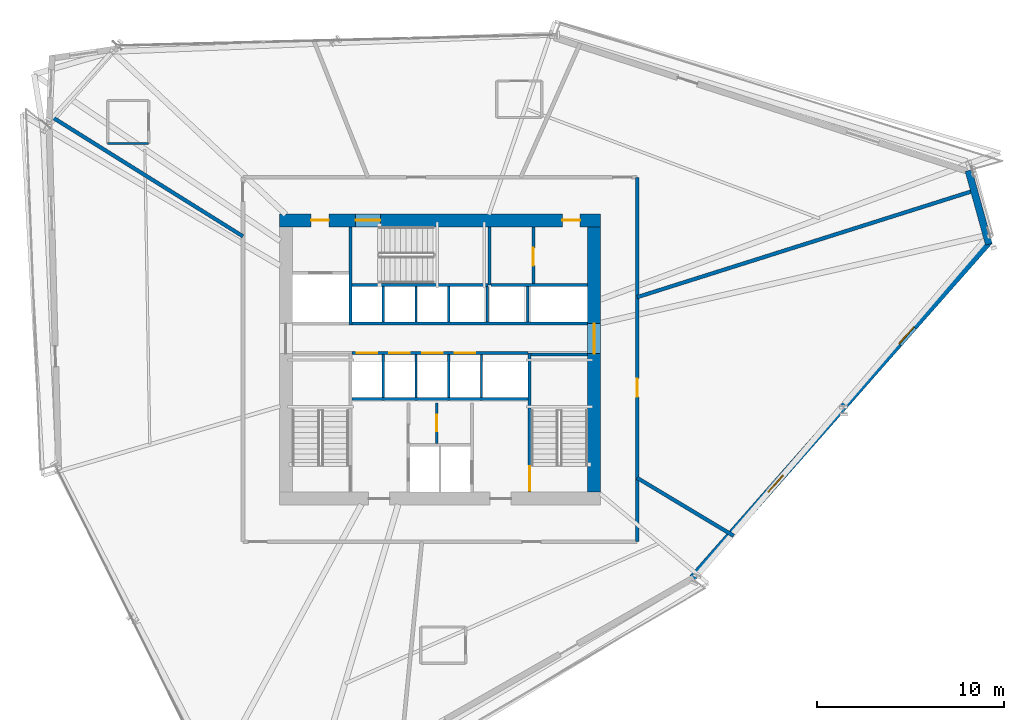
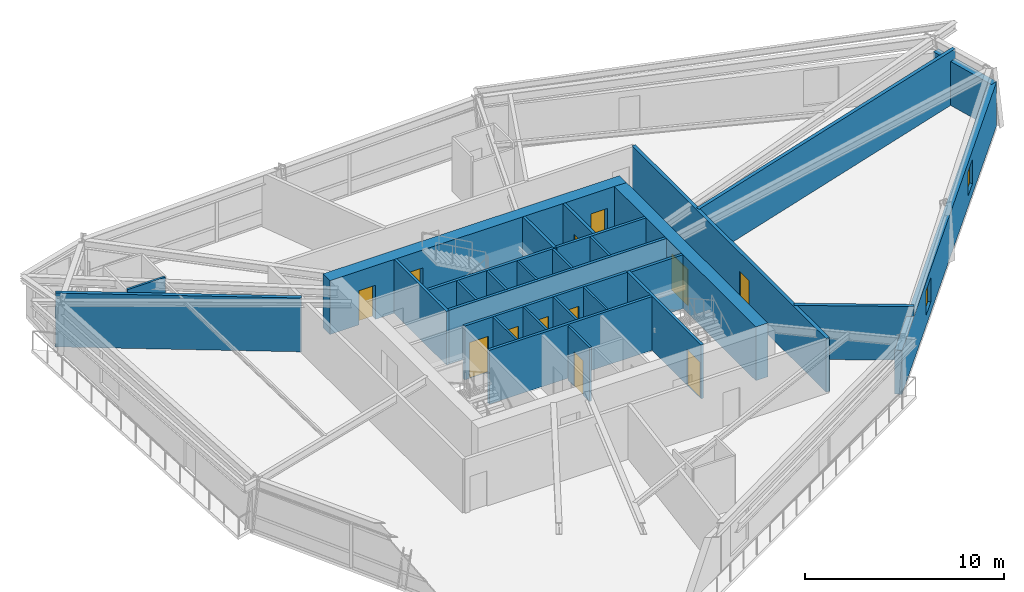
# One storey, part 15 of 20: 29 walls, 12 doors, 2 windows, 14 openings.
"""IFC4 building model written with IfcOpenShell, lengths in metres."""

import ifcopenshell
import ifcopenshell.guid

model = None  # the IFC model being written
_history = None  # IfcOwnerHistory: only IFC2X3 demands one
_inside = {}  # id of a spatial element -> (the spatial element, [elements in it])
_under = {}  # id of a project, library or spatial element -> (it, [spatial elements below it])
_declared = {}  # id of a project -> (the project, [libraries it declares])
_typed = {}  # id of a type object -> (the type object, [elements of that type])
_made_of = {}  # id of a material, layer set ... -> (it, [elements and type objects made of it])


def new_model(schema):
    """Start an empty IFC model of exactly this schema.

    Asked for "IFC4X3", IfcOpenShell would pick the latest addendum, in which some entities
    have other attributes; the version numbers below select the first issue.
    IFC2X3 requires an IfcOwnerHistory on every rooted entity: one is made here for all.
    """
    global model, _history
    if schema == "IFC4X3":
        model = ifcopenshell.file(schema_version=(4, 3, 0, 0))
    else:
        model = ifcopenshell.file(schema=schema)
    _inside.clear()
    _under.clear()
    _declared.clear()
    _typed.clear()
    _made_of.clear()
    _history = None
    if model.schema == "IFC2X3":
        org = make("IfcOrganization", Name="unknown")
        user = make(
            "IfcPersonAndOrganization",
            ThePerson=make("IfcPerson", FamilyName="unknown"),
            TheOrganization=org,
        )
        app = make(
            "IfcApplication",
            ApplicationDeveloper=org,
            Version="unknown",
            ApplicationFullName="unknown",
            ApplicationIdentifier="unknown",
        )
        _history = make(
            "IfcOwnerHistory",
            OwningUser=user,
            OwningApplication=app,
            ChangeAction="ADDED",
            CreationDate=0,
        )
    return model


def make(cls, **values):
    """One entity of the class cls with the attributes given. An attribute that is None is left unset."""
    return model.create_entity(
        cls, **{name: value for name, value in values.items() if value is not None}
    )


def rooted(cls, **values):
    """An entity with a GlobalId (a new one), such as an element, a storey or a relation."""
    return make(cls, GlobalId=ifcopenshell.guid.new(), OwnerHistory=_history, **values)


def si_unit(unit_type, name, prefix=None):
    """IfcSIUnit, for example si_unit("LENGTHUNIT", "METRE", prefix="MILLI")."""
    return make("IfcSIUnit", UnitType=unit_type, Prefix=prefix, Name=name)


def assignment(units):
    """IfcUnitAssignment: the units of a project."""
    return None if units is None else make("IfcUnitAssignment", Units=units)


def point(xyz):
    """IfcCartesianPoint."""
    return None if xyz is None else make("IfcCartesianPoint", Coordinates=xyz)


def direction(xyz):
    """IfcDirection."""
    return None if xyz is None else make("IfcDirection", DirectionRatios=xyz)


def frame(location, z_axis=None, x_axis=None):
    """IfcAxis2Placement3D, a coordinate frame: its origin and axes. An axis left out is left unset."""
    return make(
        "IfcAxis2Placement3D",
        Location=point(location),
        Axis=direction(z_axis),
        RefDirection=direction(x_axis),
    )


def frame_2d(location, x_axis=None):
    """IfcAxis2Placement2D, a coordinate frame in the plane: its origin and x axis."""
    return make(
        "IfcAxis2Placement2D", Location=point(location), RefDirection=direction(x_axis)
    )


def origin():
    """The frame at (0, 0, 0) with its axes left unset."""
    return frame((0.0, 0.0, 0.0))


def place(relative_to, where):
    """IfcLocalPlacement: puts the frame where relative to a parent placement (None: the world)."""
    return make(
        "IfcLocalPlacement", PlacementRelTo=relative_to, RelativePlacement=where
    )


def context(
    kind, dimensions, precision=None, world=None, true_north=None, identifier=None
):
    """IfcGeometricRepresentationContext, for example the 3D "Model" context."""
    return make(
        "IfcGeometricRepresentationContext",
        ContextIdentifier=identifier,
        ContextType=kind,
        CoordinateSpaceDimension=dimensions,
        Precision=precision,
        WorldCoordinateSystem=world,
        TrueNorth=true_north,
    )


def subcontext(parent, identifier, kind, view, scale=None):
    """IfcGeometricRepresentationSubContext, for example "Body" below "Model"."""
    return make(
        "IfcGeometricRepresentationSubContext",
        ContextIdentifier=identifier,
        ContextType=kind,
        ParentContext=parent,
        TargetScale=scale,
        TargetView=view,
    )


def project(units=None, contexts=None):
    """IfcProject with its units and contexts."""
    return rooted(
        "IfcProject",
        Name="project",
        RepresentationContexts=contexts,
        UnitsInContext=assignment(units),
    )


def spatial(cls, under=None, at=None, **own):
    """A site, building, storey or space (cls), placed at a placement, below another one or the project."""
    s = rooted(cls, ObjectPlacement=at, **own)
    if under is not None:
        _under.setdefault(under.id(), (under, []))[1].append(s)
    return s


def profile(cls, at=None, kind="AREA", **sizes):
    """A parametric profile (cls). Its sizes go by their IFC names, for example OverallWidth=200.0."""
    return make(cls, ProfileType=kind, Position=at, **sizes)


def rectangle(**sizes):
    """IfcRectangleProfileDef."""
    return profile("IfcRectangleProfileDef", **sizes)


def extrude(swept, where, along, depth):
    """IfcExtrudedAreaSolid: the profile swept, set in the frame where, extruded along a direction by depth."""
    return make(
        "IfcExtrudedAreaSolid",
        SweptArea=swept,
        Position=where,
        ExtrudedDirection=direction(along),
        Depth=depth,
    )


def shape(context_of_items, identifier, shape_type, items):
    """IfcShapeRepresentation: the items that make up one representation, for example the "Body"."""
    return make(
        "IfcShapeRepresentation",
        ContextOfItems=context_of_items,
        RepresentationIdentifier=identifier,
        RepresentationType=shape_type,
        Items=items,
    )


def source(mapping_origin, context_of_items, identifier, shape_type, items):
    """IfcRepresentationMap: a shape defined once, which mapped items show again and again."""
    return make(
        "IfcRepresentationMap",
        MappingOrigin=mapping_origin,
        MappedRepresentation=shape(context_of_items, identifier, shape_type, items),
    )


def transform(
    local_origin,
    x_axis=None,
    y_axis=None,
    z_axis=None,
    scale=None,
    scale2=None,
    scale3=None,
    uniform=True,
):
    """IfcCartesianTransformationOperator3D, or its non-uniform kind. x_axis, y_axis, z_axis: its Axis1, 2, 3."""
    if uniform:
        return make(
            "IfcCartesianTransformationOperator3D",
            Axis1=direction(x_axis),
            Axis2=direction(y_axis),
            LocalOrigin=point(local_origin),
            Scale=scale,
            Axis3=direction(z_axis),
        )
    return make(
        "IfcCartesianTransformationOperator3DnonUniform",
        Axis1=direction(x_axis),
        Axis2=direction(y_axis),
        LocalOrigin=point(local_origin),
        Scale=scale,
        Axis3=direction(z_axis),
        Scale2=scale2,
        Scale3=scale3,
    )


def mapped(mapping_source, mapping_target):
    """IfcMappedItem: shows the shape of a source again, moved by a transform."""
    return make(
        "IfcMappedItem", MappingSource=mapping_source, MappingTarget=mapping_target
    )


def material(Name=None, Category=None):
    """IfcMaterial."""
    return make("IfcMaterial", Name=Name, Category=Category)


def layer(
    of_material, thickness, ventilated=None, Name=None, Category=None, Priority=None
):
    """IfcMaterialLayer: one layer of a wall or slab, of a material (None: an air gap)."""
    return make(
        "IfcMaterialLayer",
        Material=of_material,
        LayerThickness=thickness,
        IsVentilated=ventilated,
        Name=Name,
        Category=Category,
        Priority=Priority,
    )


def layer_set(layers, Name=None):
    """IfcMaterialLayerSet."""
    return make("IfcMaterialLayerSet", MaterialLayers=layers, LayerSetName=Name)


def made_of(thing, what):
    """Note that an element or type object is made of a material, layer set ...; save() writes the relation."""
    if what is not None:
        _made_of.setdefault(what.id(), (what, []))[1].append(thing)
    return thing


def type_object(cls, material=None, **own):
    """A type object (cls), such as IfcWallType, which elements share."""
    return made_of(rooted(cls, **own), material)


def type_shapes(of_type, sources):
    """Give a type object the sources (RepresentationMaps) that its elements show as mapped items."""
    of_type.RepresentationMaps = sources


def element(
    cls,
    number,
    at=None,
    inside=None,
    cuts=None,
    type_object=None,
    material=None,
    context=None,
    identifier="Body",
    shape_type=None,
    held_by="IfcProductDefinitionShape",
    body=None,
    shapes=None,
    **own,
):
    """One element of the class cls, such as IfcWall. Its Tag is "e" and its number.

    at: its placement. inside: the storey or other place that contains it. cuts: it is an
    opening in that element (IfcRelVoidsElement). A single representation is given by context,
    identifier, shape_type and body (its items); several are given by shapes. held_by: the class
    of the entity that holds the representations. save() writes the other relations.
    """
    e = rooted(cls, Tag="e%d" % number, ObjectPlacement=at, **own)
    if body is not None:
        shapes = [shape(context, identifier, shape_type, body)]
    if shapes is not None:
        e.Representation = make(held_by, Representations=shapes)
    if inside is not None:
        _inside.setdefault(inside.id(), (inside, []))[1].append(e)
    if cuts is not None:
        rooted(
            "IfcRelVoidsElement", RelatingBuildingElement=cuts, RelatedOpeningElement=e
        )
    if type_object is not None:
        _typed.setdefault(type_object.id(), (type_object, []))[1].append(e)
    return made_of(e, material)


def fill(opening, filler):
    """IfcRelFillsElement: the door or window that sits in an opening."""
    return rooted(
        "IfcRelFillsElement",
        RelatingOpeningElement=opening,
        RelatedBuildingElement=filler,
    )


def aggregate(whole, parts):
    """IfcRelAggregates: a whole, such as a stair, and the parts it consists of."""
    return rooted("IfcRelAggregates", RelatingObject=whole, RelatedObjects=parts)


def save(model, path):
    """Write the relations noted so far, then the file.

    IfcRelAggregates (storeys below a building ...), IfcRelContainedInSpatialStructure (elements
    in a storey), IfcRelDefinesByType, IfcRelAssociatesMaterial and IfcRelDeclares: one each for
    every whole, place, type object, material and project.
    """
    for whole, parts in _under.values():
        aggregate(whole, parts)
    for where, things in _inside.values():
        rooted(
            "IfcRelContainedInSpatialStructure",
            RelatedElements=things,
            RelatingStructure=where,
        )
    for kind, things in _typed.values():
        rooted("IfcRelDefinesByType", RelatedObjects=things, RelatingType=kind)
    for what, things in _made_of.values():
        rooted("IfcRelAssociatesMaterial", RelatedObjects=things, RelatingMaterial=what)
    for by, libraries in _declared.values():
        rooted("IfcRelDeclares", RelatingContext=by, RelatedDefinitions=libraries)
    model.write(path)


model = new_model("IFC4")

# Units and contexts
model_context = context("Model", 3, precision=1e-05, world=origin(), true_north=direction((0.0, 1.0)))
body_context = subcontext(model_context, "Body", "Model", "MODEL_VIEW")
ifc_project = project(units=[si_unit("LENGTHUNIT", "METRE"), si_unit("AREAUNIT", "SQUARE_METRE"), si_unit("VOLUMEUNIT", "CUBIC_METRE"), si_unit("PLANEANGLEUNIT", "RADIAN"), si_unit("MASSUNIT", "GRAM", prefix="KILO")], contexts=[model_context])

# Site, building, storey
site_placement = place(None, origin())
site = spatial("IfcSite", under=ifc_project, at=site_placement, CompositionType="ELEMENT")
building_placement = place(site_placement, origin())
building = spatial("IfcBuilding", under=site, at=building_placement, Name="Olszyna Solenne Hotel", CompositionType="ELEMENT")
storey_placement = place(building_placement, frame((0.0, 0.0, 98.60009765625)))
storey = spatial("IfcBuildingStorey", under=building, at=storey_placement, Name="L25", CompositionType="ELEMENT", Elevation=98.60009765625)

# Wall, openings, doors
ifc_material_1 = material(Name="Concrete C60/75", Category="concrete")
ifc_layer_1 = layer(ifc_material_1, 0.699951171875, Name="Concrete C60/75")
ifc_layer_set_1 = layer_set([ifc_layer_1], Name="Concrete C60/75")
wall_type_1 = type_object("IfcWallType", Name="WL-CR700", PredefinedType="SHEAR", material=ifc_layer_set_1)
wall_1_placement = place(storey_placement, frame((29.39990234375, 34.050048828125, 0.0), z_axis=(0.0, 0.0, 1.0), x_axis=(1.0, 0.0, 0.0)))
wall_1 = element("IfcWall", 1, at=wall_1_placement, inside=storey, type_object=wall_type_1, Name="Core shear wall WL-CR700 CRW-L25-N", PredefinedType="SHEAR", context=body_context, shape_type="SweptSolid", body=[
    extrude(rectangle(XDim=17.2001953125, YDim=0.699951171875, at=frame_2d((8.60009765625, 0.0))), origin(), (0.0, 0.0, 1.0), 3.2998046875),
])
opening_1_placement = place(wall_1_placement, frame((1.699951171875, 0.0, 0.0)))
opening_1 = element("IfcOpeningElement", 2, at=opening_1_placement, cuts=wall_1, Name="Opening SVD-L25-01", PredefinedType="OPENING", context=body_context, shape_type="SweptSolid", body=[
    extrude(rectangle(XDim=0.949951171875, YDim=2.10009765625, at=frame_2d((0.47509765625, 1.050048828125))), frame((0.0, 0.35986328125, 0.0), z_axis=(0.0, -1.0, 0.0), x_axis=(1.0, 0.0, 0.0)), (0.0, 0.0, 1.0), 0.719970703125),
])
opening_2_placement = place(wall_1_placement, frame((4.080078125, 0.0, 0.0)))
opening_2 = element("IfcOpeningElement", 3, at=opening_2_placement, cuts=wall_1, Name="Opening STD-L25-03", PredefinedType="OPENING", context=body_context, shape_type="SweptSolid", body=[
    extrude(rectangle(XDim=1.320068359375, YDim=2.199951171875, at=frame_2d((0.66015625, 1.10009765625))), frame((0.0, 0.35986328125, 0.0), z_axis=(0.0, -1.0, 0.0), x_axis=(1.0, 0.0, 0.0)), (0.0, 0.0, 1.0), 0.719970703125),
])
opening_3_placement = place(wall_1_placement, frame((15.14990234375, 0.0, 0.0)))
opening_3 = element("IfcOpeningElement", 4, at=opening_3_placement, cuts=wall_1, Name="Opening SVD-L25-BN", PredefinedType="OPENING", context=body_context, shape_type="SweptSolid", body=[
    extrude(rectangle(XDim=0.949951171875, YDim=2.10009765625, at=frame_2d((0.47509765625, 1.050048828125))), frame((0.0, 0.35986328125, 0.0), z_axis=(0.0, -1.0, 0.0), x_axis=(1.0, 0.0, 0.0)), (0.0, 0.0, 1.0), 0.719970703125),
])
ifc_material_2 = material(Name="Steel S355J2", Category="steel")
door_type_1 = type_object("IfcDoorType", Name="DR-ST1", OperationType="NOTDEFINED", PredefinedType="DOOR", material=ifc_material_2)
shared_shape_1 = source(origin(), body_context, "Body", "SweptSolid", [
    extrude(rectangle(XDim=1.320068359375, YDim=2.199951171875, at=frame_2d((0.66015625, 1.10009765625))), frame((0.0, 0.02490234375, 0.0), z_axis=(0.0, -1.0, 0.0), x_axis=(1.0, 0.0, 0.0)), (0.0, 0.0, 1.0), 0.050048828125),
])
type_shapes(door_type_1, [shared_shape_1])
door_1_placement = place(opening_2_placement, origin())
door_1 = element("IfcDoor", 5, at=door_1_placement, inside=storey, type_object=door_type_1, Name="Pressurised exit stair ST3 fire door STD-L25-03", OperationType="SINGLE_SWING_RIGHT", OverallHeight=2.199951171875, OverallWidth=1.320068359375, PredefinedType="DOOR", context=body_context, shape_type="MappedRepresentation", body=[
    mapped(shared_shape_1, transform((0.0, 0.0, 0.0), x_axis=(1.0, 0.0, 0.0), y_axis=(0.0, 1.0, 0.0), z_axis=(0.0, 0.0, 1.0), scale=1.0)),
])
fill(opening_2, door_1)
door_type_2 = type_object("IfcDoorType", Name="DR-SV1", OperationType="NOTDEFINED", PredefinedType="DOOR", material=ifc_material_2)
shared_shape_2 = source(origin(), body_context, "Body", "SweptSolid", [
    extrude(rectangle(XDim=0.949951171875, YDim=2.10009765625, at=frame_2d((0.47509765625, 1.050048828125))), frame((0.0, 0.02490234375, 0.0), z_axis=(0.0, -1.0, 0.0), x_axis=(1.0, 0.0, 0.0)), (0.0, 0.0, 1.0), 0.050048828125),
])
type_shapes(door_type_2, [shared_shape_2])
door_2_placement = place(opening_1_placement, origin())
door_2 = element("IfcDoor", 6, at=door_2_placement, inside=storey, type_object=door_type_2, Name="Service lift lobby fire door SVD-L25-01", OperationType="SINGLE_SWING_LEFT", OverallHeight=2.10009765625, OverallWidth=0.949951171875, PredefinedType="DOOR", context=body_context, shape_type="MappedRepresentation", body=[
    mapped(shared_shape_2, transform((0.0, 0.0, 0.0), x_axis=(1.0, 0.0, 0.0), y_axis=(0.0, 1.0, 0.0), z_axis=(0.0, 0.0, 1.0), scale=1.0)),
])
fill(opening_1, door_2)
door_3_placement = place(opening_3_placement, origin())
door_3 = element("IfcDoor", 7, at=door_3_placement, inside=storey, type_object=door_type_2, Name="Housekeeping core fire door SVD-L25-BN", OperationType="SINGLE_SWING_LEFT", OverallHeight=2.10009765625, OverallWidth=0.949951171875, PredefinedType="DOOR", context=body_context, shape_type="MappedRepresentation", body=[
    mapped(shared_shape_2, transform((0.0, 0.0, 0.0), x_axis=(1.0, 0.0, 0.0), y_axis=(0.0, 1.0, 0.0), z_axis=(0.0, 0.0, 1.0), scale=1.0)),
])
fill(opening_3, door_3)

# Wall, opening, door
wall_2_placement = place(storey_placement, frame((46.25, 33.699951171875, 0.0), z_axis=(0.0, 0.0, 1.0), x_axis=(0.0, -1.0, 0.0)))
wall_2 = element("IfcWall", 8, at=wall_2_placement, inside=storey, type_object=wall_type_1, Name="Core shear wall WL-CR700 CRW-L25-E", PredefinedType="SHEAR", context=body_context, shape_type="SweptSolid", body=[
    extrude(rectangle(XDim=14.199951171875, YDim=0.699951171875, at=frame_2d((7.10009765625, 0.0))), origin(), (0.0, 0.0, 1.0), 3.2998046875),
])
opening_4_placement = place(wall_2_placement, frame((5.179931640625, 0.0, 0.0)))
opening_4 = element("IfcOpeningElement", 9, at=opening_4_placement, cuts=wall_2, Name="Opening LHD-L25-E", PredefinedType="OPENING", context=body_context, shape_type="SweptSolid", body=[
    extrude(rectangle(XDim=1.60009765625, YDim=2.199951171875, at=frame_2d((0.800048828125, 1.10009765625))), frame((0.0, 0.35986328125, 0.0), z_axis=(0.0, -1.0, 0.0), x_axis=(1.0, 0.0, 0.0)), (0.0, 0.0, 1.0), 0.719970703125),
])
ifc_material_3 = material(Name="Timber hardwood", Category="wood")
door_type_3 = type_object("IfcDoorType", Name="DR-CR1", OperationType="DOUBLE_DOOR_SINGLE_SWING", PredefinedType="DOOR", material=ifc_material_3)
shared_shape_3 = source(origin(), body_context, "Body", "SweptSolid", [
    extrude(rectangle(XDim=1.60009765625, YDim=2.199951171875, at=frame_2d((0.800048828125, 1.10009765625))), frame((0.0, 0.02490234375, 0.0), z_axis=(0.0, -1.0, 0.0), x_axis=(1.0, 0.0, 0.0)), (0.0, 0.0, 1.0), 0.050048828125),
])
type_shapes(door_type_3, [shared_shape_3])
door_4_placement = place(opening_4_placement, origin())
door_4 = element("IfcDoor", 10, at=door_4_placement, inside=storey, type_object=door_type_3, Name="Passenger lift lobby East fire door LHD-L25-E", OperationType="DOUBLE_DOOR_SINGLE_SWING", OverallHeight=2.199951171875, OverallWidth=1.60009765625, PredefinedType="DOOR", context=body_context, shape_type="MappedRepresentation", body=[
    mapped(shared_shape_3, transform((0.0, 0.0, 0.0), x_axis=(1.0, 0.0, 0.0), y_axis=(0.0, 1.0, 0.0), z_axis=(0.0, 0.0, 1.0), scale=1.0)),
])
fill(opening_4, door_4)

# Wall
ifc_material_4 = material(Name="Terracotta cladding on precast concrete C45/55", Category="masonry")
ifc_layer_2 = layer(ifc_material_4, 0.3798828125, Name="Terracotta cladding on precast concrete C45/55")
ifc_layer_set_2 = layer_set([ifc_layer_2], Name="Terracotta cladding on precast concrete C45/55")
wall_type_2 = type_object("IfcWallType", Name="WL-EX380", PredefinedType="SOLIDWALL", material=ifc_layer_set_2)
wall_3_placement = place(storey_placement, frame((66.28662109375, 36.71337890625, 0.0), z_axis=(0.0, 0.0, 1.0), x_axis=(0.266419915457, -0.963857058203, 0.0)))
element("IfcWall", 11, at=wall_3_placement, inside=storey, type_object=wall_type_2, Name="Exterior terracotta-precast frame wall WL-EX380 EW-L25-09", PredefinedType="SOLIDWALL", context=body_context, shape_type="SweptSolid", body=[
    extrude(rectangle(XDim=4.09521484375, YDim=0.3798828125, at=frame_2d((2.047607421875, 0.0))), origin(), (0.0, 0.0, 1.0), 2.69189453125),
])

# Wall, openings, windows
wall_4_placement = place(storey_placement, frame((67.418212890625, 32.9423828125, 0.0), z_axis=(0.0, 0.0, 1.0), x_axis=(-0.661521919695, -0.749925829508, 0.0)))
wall_4 = element("IfcWall", 12, at=wall_4_placement, inside=storey, type_object=wall_type_2, Name="Exterior terracotta-precast frame wall WL-EX380 EW-L25-10", PredefinedType="SOLIDWALL", context=body_context, shape_type="SweptSolid", body=[
    extrude(rectangle(XDim=24.05126953125, YDim=0.3798828125, at=frame_2d((12.025634765625, 0.0))), origin(), (0.0, 0.0, 1.0), 2.69189453125),
])
opening_5_placement = place(wall_4_placement, frame((6.134033203125, 0.0, 0.64990234375)))
opening_5 = element("IfcOpeningElement", 13, at=opening_5_placement, cuts=wall_4, Name="Opening WN-L25-138", PredefinedType="OPENING", context=body_context, shape_type="SweptSolid", body=[
    extrude(rectangle(XDim=1.199951171875, YDim=1.5, at=frame_2d((0.60009765625, 0.75))), frame((0.0, 0.199951171875, 0.0), z_axis=(0.0, -1.0, 0.0), x_axis=(1.0, 0.0, 0.0)), (0.0, 0.0, 1.0), 0.39990234375),
])
opening_6_placement = place(wall_4_placement, frame((16.717041015625, 0.0, 0.64990234375)))
opening_6 = element("IfcOpeningElement", 14, at=opening_6_placement, cuts=wall_4, Name="Opening WN-L25-139", PredefinedType="OPENING", context=body_context, shape_type="SweptSolid", body=[
    extrude(rectangle(XDim=1.199951171875, YDim=1.5, at=frame_2d((0.60009765625, 0.75))), frame((0.0, 0.199951171875, 0.0), z_axis=(0.0, -1.0, 0.0), x_axis=(1.0, 0.0, 0.0)), (0.0, 0.0, 1.0), 0.39990234375),
])
ifc_material_5 = material(Name="Low-E triple glazing", Category="glass")
window_type = type_object("IfcWindowType", Name="WN-B1", PartitioningType="SINGLE_PANEL", PredefinedType="WINDOW", material=ifc_material_5)
shared_shape_4 = source(origin(), body_context, "Body", "SweptSolid", [
    extrude(rectangle(XDim=1.199951171875, YDim=1.5, at=frame_2d((0.60009765625, 0.75))), frame((0.0, 0.030029296875, 0.0), z_axis=(0.0, -1.0, 0.0), x_axis=(1.0, 0.0, 0.0)), (0.0, 0.0, 1.0), 0.06005859375),
])
type_shapes(window_type, [shared_shape_4])
window_1_placement = place(opening_5_placement, origin())
window_1 = element("IfcWindow", 15, at=window_1_placement, inside=storey, type_object=window_type, Name="Exterior facade window WN-B1 WN-L25-138", OverallHeight=1.5, OverallWidth=1.199951171875, PartitioningType="SINGLE_PANEL", PredefinedType="WINDOW", context=body_context, shape_type="MappedRepresentation", body=[
    mapped(shared_shape_4, transform((0.0, 0.0, 0.0), x_axis=(1.0, 0.0, 0.0), y_axis=(0.0, 1.0, 0.0), z_axis=(0.0, 0.0, 1.0), scale=1.0)),
])
fill(opening_5, window_1)
window_2_placement = place(opening_6_placement, origin())
window_2 = element("IfcWindow", 16, at=window_2_placement, inside=storey, type_object=window_type, Name="Exterior facade window WN-B1 WN-L25-139", OverallHeight=1.5, OverallWidth=1.199951171875, PartitioningType="SINGLE_PANEL", PredefinedType="WINDOW", context=body_context, shape_type="MappedRepresentation", body=[
    mapped(shared_shape_4, transform((0.0, 0.0, 0.0), x_axis=(1.0, 0.0, 0.0), y_axis=(0.0, 1.0, 0.0), z_axis=(0.0, 0.0, 1.0), scale=1.0)),
])
fill(opening_6, window_2)

# Wall, opening, door
ifc_material_6 = material(Name="Acoustic gypsum partition", Category="gypsum")
ifc_layer_3 = layer(ifc_material_6, 0.125, Name="Acoustic gypsum partition")
ifc_layer_set_3 = layer_set([ifc_layer_3], Name="Acoustic gypsum partition")
wall_type_3 = type_object("IfcWallType", Name="WL-PT125", PredefinedType="PARTITIONING", material=ifc_layer_set_3)
wall_5_placement = place(storey_placement, frame((37.820068359375, 22.10009765625, 0.0), z_axis=(0.0, 0.0, 1.0), x_axis=(0.0, 1.0, 0.0)))
wall_5 = element("IfcWall", 17, at=wall_5_placement, inside=storey, type_object=wall_type_3, Name="Core shaft compartment wall CW-L25-SC1", PredefinedType="PARTITIONING", context=body_context, shape_type="SweptSolid", body=[
    extrude(rectangle(XDim=2.179931640625, YDim=0.125, at=frame_2d((1.08984375, 0.0))), origin(), (0.0, 0.0, 1.0), 3.2998046875),
])
opening_7_placement = place(wall_5_placement, frame((0.64990234375, 0.0, 0.0)))
opening_7 = element("IfcOpeningElement", 18, at=opening_7_placement, cuts=wall_5, Name="Opening SVD-L25-SC1", PredefinedType="OPENING", context=body_context, shape_type="SweptSolid", body=[
    extrude(rectangle(XDim=0.89990234375, YDim=2.10009765625, at=frame_2d((0.449951171875, 1.050048828125))), frame((0.0, 0.072509765625, 0.0), z_axis=(0.0, -1.0, 0.0), x_axis=(1.0, 0.0, 0.0)), (0.0, 0.0, 1.0), 0.14501953125),
])
door_type_4 = type_object("IfcDoorType", Name="DR-WC1", OperationType="NOTDEFINED", PredefinedType="DOOR", material=ifc_material_3)
shared_shape_5 = source(origin(), body_context, "Body", "SweptSolid", [
    extrude(rectangle(XDim=0.89990234375, YDim=2.10009765625, at=frame_2d((0.449951171875, 1.050048828125))), frame((0.0, 0.02490234375, 0.0), z_axis=(0.0, -1.0, 0.0), x_axis=(1.0, 0.0, 0.0)), (0.0, 0.0, 1.0), 0.050048828125),
])
type_shapes(door_type_4, [shared_shape_5])
door_5_placement = place(opening_7_placement, origin())
door_5 = element("IfcDoor", 19, at=door_5_placement, inside=storey, type_object=door_type_4, Name="Pantry locker door SVD-L25-SC1", OperationType="SINGLE_SWING_LEFT", OverallHeight=2.10009765625, OverallWidth=0.89990234375, PredefinedType="DOOR", context=body_context, shape_type="MappedRepresentation", body=[
    mapped(shared_shape_5, transform((0.0, 0.0, 0.0), x_axis=(1.0, 0.0, 0.0), y_axis=(0.0, 1.0, 0.0), z_axis=(0.0, 0.0, 1.0), scale=1.0)),
])
fill(opening_7, door_5)

# Walls
for number, where, z_axis, x_axis, name in (
    (20, (34.965087890625, 24.56005859375, 0.0), (0.0, 0.0, 1.0), (0.0, 1.0, 0.0), "Core shaft compartment wall CW-L25-DIVS349"),
    (21, (36.715087890625, 24.56005859375, 0.0), (0.0, 0.0, 1.0), (0.0, 1.0, 0.0), "Core shaft compartment wall CW-L25-DIVS367"),
    (22, (38.465087890625, 24.56005859375, 0.0), (0.0, 0.0, 1.0), (0.0, 1.0, 0.0), "Core shaft compartment wall CW-L25-DIVS384"),
    (23, (40.215087890625, 24.56005859375, 0.0), (0.0, 0.0, 1.0), (0.0, 1.0, 0.0), "Core shaft compartment wall CW-L25-DIVS402"),
):
    element("IfcWall", number, at=place(storey_placement, frame(where, z_axis=z_axis, x_axis=x_axis)), inside=storey, type_object=wall_type_3, Name=name, PredefinedType="PARTITIONING", context=body_context, shape_type="SweptSolid", body=[
        extrude(rectangle(XDim=2.31005859375, YDim=0.125, at=frame_2d((1.155029296875, 0.0))), origin(), (0.0, 0.0, 1.0), 3.2998046875),
    ])
for number, where, z_axis, x_axis, name in (
    (24, (34.965087890625, 28.60009765625, 0.0), (0.0, 0.0, 1.0), (0.0, 1.0, 0.0), "Core shaft compartment wall CW-L25-DIVN349"),
    (25, (36.715087890625, 28.60009765625, 0.0), (0.0, 0.0, 1.0), (0.0, 1.0, 0.0), "Core shaft compartment wall CW-L25-DIVN367"),
    (26, (38.465087890625, 28.60009765625, 0.0), (0.0, 0.0, 1.0), (0.0, 1.0, 0.0), "Core shaft compartment wall CW-L25-DIVN384"),
    (27, (40.52490234375, 28.60009765625, 0.0), (0.0, 0.0, 1.0), (0.0, 1.0, 0.0), "Core shaft compartment wall CW-L25-DIVEX405"),
    (28, (42.699951171875, 28.60009765625, 0.0), (0.0, 0.0, 1.0), (0.0, 1.0, 0.0), "Core shaft compartment wall CW-L25-DIVEX427"),
):
    element("IfcWall", number, at=place(storey_placement, frame(where, z_axis=z_axis, x_axis=x_axis)), inside=storey, type_object=wall_type_3, Name=name, PredefinedType="PARTITIONING", context=body_context, shape_type="SweptSolid", body=[
        extrude(rectangle(XDim=1.919921875, YDim=0.125, at=frame_2d((0.9599609375, 0.0))), origin(), (0.0, 0.0, 1.0), 3.2998046875),
    ])
wall_6_placement = place(storey_placement, frame((20.208984375, 38.1650390625, 0.0), z_axis=(0.0, 0.0, 1.0), x_axis=(1.0, 0.0, 0.0)))
element("IfcWall", 29, at=wall_6_placement, inside=storey, type_object=wall_type_3, Name="Interior acoustic partition WL-PT125 PW-L25-1462", PredefinedType="PARTITIONING", context=body_context, shape_type="SweptSolid", body=[
    extrude(rectangle(XDim=2.199951171875, YDim=0.125, at=frame_2d((1.10009765625, 0.0))), origin(), (0.0, 0.0, 1.0), 3.2998046875),
])

# Wall, opening, door
ifc_layer_4 = layer(ifc_material_6, 0.159912109375, Name="Acoustic gypsum partition")
ifc_layer_set_4 = layer_set([ifc_layer_4], Name="Acoustic gypsum partition")
wall_type_4 = type_object("IfcWallType", Name="WL-PT160", PredefinedType="PARTITIONING", material=ifc_layer_set_4)
wall_7_placement = place(storey_placement, frame((42.800048828125, 26.9599609375, 0.0), z_axis=(0.0, 0.0, 1.0), x_axis=(0.0, -1.0, 0.0)))
wall_7 = element("IfcWall", 30, at=wall_7_placement, inside=storey, type_object=wall_type_4, Name="Core shaft compartment wall CW-L25-ST2W", PredefinedType="PARTITIONING", context=body_context, shape_type="SweptSolid", body=[
    extrude(rectangle(XDim=7.4599609375, YDim=0.159912109375, at=frame_2d((3.72998046875, 0.0))), origin(), (0.0, 0.0, 1.0), 3.2998046875),
])
opening_8_placement = place(wall_7_placement, frame((6.06005859375, 0.0, 0.0)))
opening_8 = element("IfcOpeningElement", 31, at=opening_8_placement, cuts=wall_7, Name="Opening STD-L25-02", PredefinedType="OPENING", context=body_context, shape_type="SweptSolid", body=[
    extrude(rectangle(XDim=1.320068359375, YDim=2.199951171875, at=frame_2d((0.66015625, 1.10009765625))), frame((0.0, 0.08984375, 0.0), z_axis=(0.0, -1.0, 0.0), x_axis=(1.0, 0.0, 0.0)), (0.0, 0.0, 1.0), 0.179931640625),
])
door_6_placement = place(opening_8_placement, origin())
door_6 = element("IfcDoor", 32, at=door_6_placement, inside=storey, type_object=door_type_1, Name="Pressurised exit stair ST2 fire door STD-L25-02", OperationType="SINGLE_SWING_RIGHT", OverallHeight=2.199951171875, OverallWidth=1.320068359375, PredefinedType="DOOR", context=body_context, shape_type="MappedRepresentation", body=[
    mapped(shared_shape_1, transform((0.0, 0.0, 0.0), x_axis=(1.0, 0.0, 0.0), y_axis=(0.0, 1.0, 0.0), z_axis=(0.0, 0.0, 1.0), scale=1.0)),
])
fill(opening_8, door_6)

# Walls
wall_8_placement = place(storey_placement, frame((42.8798828125, 26.8798828125, 0.0), z_axis=(0.0, 0.0, 1.0), x_axis=(1.0, 0.0, 0.0)))
element("IfcWall", 33, at=wall_8_placement, inside=storey, type_object=wall_type_4, Name="Core shaft compartment wall CW-L25-ST2N", PredefinedType="PARTITIONING", context=body_context, shape_type="SweptSolid", body=[
    extrude(rectangle(XDim=3.02001953125, YDim=0.159912109375, at=frame_2d((1.510009765625, 0.0))), origin(), (0.0, 0.0, 1.0), 3.2998046875),
])
wall_9_placement = place(storey_placement, frame((33.280029296875, 30.60009765625, 0.0), z_axis=(0.0, 0.0, 1.0), x_axis=(1.0, 0.0, 0.0)))
element("IfcWall", 34, at=wall_9_placement, inside=storey, type_object=wall_type_4, Name="Core shaft compartment wall CW-L25-ST3S", PredefinedType="PARTITIONING", context=body_context, shape_type="SweptSolid", body=[
    extrude(rectangle(XDim=7.300048828125, YDim=0.159912109375, at=frame_2d((3.64990234375, 0.0))), origin(), (0.0, 0.0, 1.0), 3.2998046875),
])
wall_10_placement = place(storey_placement, frame((40.659912109375, 30.60009765625, 0.0), z_axis=(0.0, 0.0, 1.0), x_axis=(0.0, 1.0, 0.0)))
element("IfcWall", 35, at=wall_10_placement, inside=storey, type_object=wall_type_4, Name="Core shaft compartment wall CW-L25-ST3E", PredefinedType="PARTITIONING", context=body_context, shape_type="SweptSolid", body=[
    extrude(rectangle(XDim=3.099853515625, YDim=0.159912109375, at=frame_2d((1.5498046875, 0.0))), origin(), (0.0, 0.0, 1.0), 3.2998046875),
])
wall_11_placement = place(storey_placement, frame((33.280029296875, 24.489990234375, 0.0), z_axis=(0.0, 0.0, 1.0), x_axis=(1.0, 0.0, 0.0)))
element("IfcWall", 36, at=wall_11_placement, inside=storey, type_object=wall_type_4, Name="Core shaft compartment wall CW-L25-FFBN", PredefinedType="PARTITIONING", context=body_context, shape_type="SweptSolid", body=[
    extrude(rectangle(XDim=9.43994140625, YDim=0.159912109375, at=frame_2d((4.719970703125, 0.0))), origin(), (0.0, 0.0, 1.0), 3.2998046875),
])
wall_12_placement = place(storey_placement, frame((33.199951171875, 28.43994140625, 0.0), z_axis=(0.0, 0.0, 1.0), x_axis=(0.0, 1.0, 0.0)))
element("IfcWall", 37, at=wall_12_placement, inside=storey, type_object=wall_type_4, Name="Core shaft compartment wall CW-L25-SV1E", PredefinedType="PARTITIONING", context=body_context, shape_type="SweptSolid", body=[
    extrude(rectangle(XDim=5.260009765625, YDim=0.159912109375, at=frame_2d((2.6298828125, 0.0))), origin(), (0.0, 0.0, 1.0), 3.2998046875),
])

# Wall, openings, doors
wall_13_placement = place(storey_placement, frame((33.280029296875, 26.949951171875, 0.0), z_axis=(0.0, 0.0, 1.0), x_axis=(1.0, 0.0, 0.0)))
wall_13 = element("IfcWall", 38, at=wall_13_placement, inside=storey, type_object=wall_type_4, Name="Core shaft compartment wall CW-L25-LRS", PredefinedType="PARTITIONING", context=body_context, shape_type="SweptSolid", body=[
    extrude(rectangle(XDim=9.43994140625, YDim=0.159912109375, at=frame_2d((4.719970703125, 0.0))), origin(), (0.0, 0.0, 1.0), 3.2998046875),
])
opening_9_placement = place(wall_13_placement, frame((0.260009765625, 0.0, 0.0)))
opening_9 = element("IfcOpeningElement", 39, at=opening_9_placement, cuts=wall_13, Name="Opening LD-L25-PL1", PredefinedType="OPENING", context=body_context, shape_type="SweptSolid", body=[
    extrude(rectangle(XDim=1.10009765625, YDim=2.199951171875, at=frame_2d((0.550048828125, 1.10009765625))), frame((0.0, 0.08984375, 0.0), z_axis=(0.0, -1.0, 0.0), x_axis=(1.0, 0.0, 0.0)), (0.0, 0.0, 1.0), 0.179931640625),
])
opening_10_placement = place(wall_13_placement, frame((2.010009765625, 0.0, 0.0)))
opening_10 = element("IfcOpeningElement", 40, at=opening_10_placement, cuts=wall_13, Name="Opening LD-L25-PL2", PredefinedType="OPENING", context=body_context, shape_type="SweptSolid", body=[
    extrude(rectangle(XDim=1.10009765625, YDim=2.199951171875, at=frame_2d((0.550048828125, 1.10009765625))), frame((0.0, 0.08984375, 0.0), z_axis=(0.0, -1.0, 0.0), x_axis=(1.0, 0.0, 0.0)), (0.0, 0.0, 1.0), 0.179931640625),
])
opening_11_placement = place(wall_13_placement, frame((3.760009765625, 0.0, 0.0)))
opening_11 = element("IfcOpeningElement", 41, at=opening_11_placement, cuts=wall_13, Name="Opening LD-L25-PL3", PredefinedType="OPENING", context=body_context, shape_type="SweptSolid", body=[
    extrude(rectangle(XDim=1.10009765625, YDim=2.199951171875, at=frame_2d((0.550048828125, 1.10009765625))), frame((0.0, 0.08984375, 0.0), z_axis=(0.0, -1.0, 0.0), x_axis=(1.0, 0.0, 0.0)), (0.0, 0.0, 1.0), 0.179931640625),
])
opening_12_placement = place(wall_13_placement, frame((5.510009765625, 0.0, 0.0)))
opening_12 = element("IfcOpeningElement", 42, at=opening_12_placement, cuts=wall_13, Name="Opening LD-L25-PL4", PredefinedType="OPENING", context=body_context, shape_type="SweptSolid", body=[
    extrude(rectangle(XDim=1.10009765625, YDim=2.199951171875, at=frame_2d((0.550048828125, 1.10009765625))), frame((0.0, 0.08984375, 0.0), z_axis=(0.0, -1.0, 0.0), x_axis=(1.0, 0.0, 0.0)), (0.0, 0.0, 1.0), 0.179931640625),
])
door_type_5 = type_object("IfcDoorType", Name="LD-P1", OperationType="DOUBLE_DOOR_SLIDING", PredefinedType="DOOR", material=ifc_material_2)
shared_shape_6 = source(origin(), body_context, "Body", "SweptSolid", [
    extrude(rectangle(XDim=1.10009765625, YDim=2.199951171875, at=frame_2d((0.550048828125, 1.10009765625))), frame((0.0, 0.02490234375, 0.0), z_axis=(0.0, -1.0, 0.0), x_axis=(1.0, 0.0, 0.0)), (0.0, 0.0, 1.0), 0.050048828125),
])
type_shapes(door_type_5, [shared_shape_6])
door_7_placement = place(opening_9_placement, origin())
door_7 = element("IfcDoor", 43, at=door_7_placement, inside=storey, type_object=door_type_5, Name="Passenger lift PL1 sliding landing door LD-L25-PL1", OperationType="DOUBLE_DOOR_SLIDING", OverallHeight=2.199951171875, OverallWidth=1.10009765625, PredefinedType="DOOR", context=body_context, shape_type="MappedRepresentation", body=[
    mapped(shared_shape_6, transform((0.0, 0.0, 0.0), x_axis=(1.0, 0.0, 0.0), y_axis=(0.0, 1.0, 0.0), z_axis=(0.0, 0.0, 1.0), scale=1.0)),
])
fill(opening_9, door_7)
door_8_placement = place(opening_10_placement, origin())
door_8 = element("IfcDoor", 44, at=door_8_placement, inside=storey, type_object=door_type_5, Name="Passenger lift PL2 sliding landing door LD-L25-PL2", OperationType="DOUBLE_DOOR_SLIDING", OverallHeight=2.199951171875, OverallWidth=1.10009765625, PredefinedType="DOOR", context=body_context, shape_type="MappedRepresentation", body=[
    mapped(shared_shape_6, transform((0.0, 0.0, 0.0), x_axis=(1.0, 0.0, 0.0), y_axis=(0.0, 1.0, 0.0), z_axis=(0.0, 0.0, 1.0), scale=1.0)),
])
fill(opening_10, door_8)
door_9_placement = place(opening_11_placement, origin())
door_9 = element("IfcDoor", 45, at=door_9_placement, inside=storey, type_object=door_type_5, Name="Passenger lift PL3 sliding landing door LD-L25-PL3", OperationType="DOUBLE_DOOR_SLIDING", OverallHeight=2.199951171875, OverallWidth=1.10009765625, PredefinedType="DOOR", context=body_context, shape_type="MappedRepresentation", body=[
    mapped(shared_shape_6, transform((0.0, 0.0, 0.0), x_axis=(1.0, 0.0, 0.0), y_axis=(0.0, 1.0, 0.0), z_axis=(0.0, 0.0, 1.0), scale=1.0)),
])
fill(opening_11, door_9)
door_10_placement = place(opening_12_placement, origin())
door_10 = element("IfcDoor", 46, at=door_10_placement, inside=storey, type_object=door_type_5, Name="Passenger lift PL4 sliding landing door LD-L25-PL4", OperationType="DOUBLE_DOOR_SLIDING", OverallHeight=2.199951171875, OverallWidth=1.10009765625, PredefinedType="DOOR", context=body_context, shape_type="MappedRepresentation", body=[
    mapped(shared_shape_6, transform((0.0, 0.0, 0.0), x_axis=(1.0, 0.0, 0.0), y_axis=(0.0, 1.0, 0.0), z_axis=(0.0, 0.0, 1.0), scale=1.0)),
])
fill(opening_12, door_10)

# Walls
wall_14_placement = place(storey_placement, frame((33.280029296875, 28.5400390625, 0.0), z_axis=(0.0, 0.0, 1.0), x_axis=(1.0, 0.0, 0.0)))
element("IfcWall", 47, at=wall_14_placement, inside=storey, type_object=wall_type_4, Name="Core shaft compartment wall CW-L25-LRN", PredefinedType="PARTITIONING", context=body_context, shape_type="SweptSolid", body=[
    extrude(rectangle(XDim=12.619873046875, YDim=0.159912109375, at=frame_2d((6.31005859375, 0.0))), origin(), (0.0, 0.0, 1.0), 3.2998046875),
])
wall_15_placement = place(storey_placement, frame((40.719970703125, 30.60009765625, 0.0), z_axis=(0.0, 0.0, 1.0), x_axis=(1.0, 0.0, 0.0)))
element("IfcWall", 48, at=wall_15_placement, inside=storey, type_object=wall_type_4, Name="Core shaft compartment wall CW-L25-LRNTOP", PredefinedType="PARTITIONING", context=body_context, shape_type="SweptSolid", body=[
    extrude(rectangle(XDim=5.179931640625, YDim=0.159912109375, at=frame_2d((2.58984375, 0.0))), origin(), (0.0, 0.0, 1.0), 3.2998046875),
])

# Wall, opening, door
wall_16_placement = place(storey_placement, frame((42.989990234375, 30.679931640625, 0.0), z_axis=(0.0, 0.0, 1.0), x_axis=(0.0, 1.0, 0.0)))
wall_16 = element("IfcWall", 49, at=wall_16_placement, inside=storey, type_object=wall_type_4, Name="Core shaft compartment wall CW-L25-BOH1", PredefinedType="PARTITIONING", context=body_context, shape_type="SweptSolid", body=[
    extrude(rectangle(XDim=3.02001953125, YDim=0.159912109375, at=frame_2d((1.510009765625, 0.0))), origin(), (0.0, 0.0, 1.0), 3.2998046875),
])
opening_13_placement = place(wall_16_placement, frame((0.949951171875, 0.0, 0.0)))
opening_13 = element("IfcOpeningElement", 50, at=opening_13_placement, cuts=wall_16, Name="Opening SVD-L25-BI1", PredefinedType="OPENING", context=body_context, shape_type="SweptSolid", body=[
    extrude(rectangle(XDim=0.949951171875, YDim=2.10009765625, at=frame_2d((0.47509765625, 1.050048828125))), frame((0.0, 0.08984375, 0.0), z_axis=(0.0, -1.0, 0.0), x_axis=(1.0, 0.0, 0.0)), (0.0, 0.0, 1.0), 0.179931640625),
])
door_11_placement = place(opening_13_placement, origin())
door_11 = element("IfcDoor", 51, at=door_11_placement, inside=storey, type_object=door_type_2, Name="BOH inter-room fire door SVD-L25-BI1", OperationType="SINGLE_SWING_LEFT", OverallHeight=2.10009765625, OverallWidth=0.949951171875, PredefinedType="DOOR", context=body_context, shape_type="MappedRepresentation", body=[
    mapped(shared_shape_2, transform((0.0, 0.0, 0.0), x_axis=(1.0, 0.0, 0.0), y_axis=(0.0, 1.0, 0.0), z_axis=(0.0, 0.0, 1.0), scale=1.0)),
])
fill(opening_13, door_11)

# Walls
ifc_layer_5 = layer(ifc_material_6, 0.199951171875, Name="Acoustic gypsum partition")
ifc_layer_set_5 = layer_set([ifc_layer_5], Name="Acoustic gypsum partition")
wall_type_5 = type_object("IfcWallType", Name="WL-PT200", PredefinedType="PARTITIONING", material=ifc_layer_set_5)
wall_17_placement = place(storey_placement, frame((27.449951171875, 33.1923828125, 0.0), z_axis=(0.0, 0.0, 1.0), x_axis=(-0.848047128699, 0.529920812485, 0.0)))
element("IfcWall", 52, at=wall_17_placement, inside=storey, type_object=wall_type_5, Name="Interior acoustic partition WL-PT200 PW-L25-1445", PredefinedType="PARTITIONING", context=body_context, shape_type="SweptSolid", body=[
    extrude(rectangle(XDim=12.359619140625, YDim=0.199951171875, at=frame_2d((6.1796875, 0.0))), origin(), (0.0, 0.0, 1.0), 3.2998046875),
])
wall_18_placement = place(storey_placement, frame((48.550048828125, 20.263671875, 0.0), z_axis=(0.0, 0.0, 1.0), x_axis=(0.857260317922, -0.514883236586, 0.0)))
element("IfcWall", 53, at=wall_18_placement, inside=storey, type_object=wall_type_5, Name="Interior acoustic partition WL-PT200 PW-L25-1447", PredefinedType="PARTITIONING", context=body_context, shape_type="SweptSolid", body=[
    extrude(rectangle(XDim=6.02197265625, YDim=0.199951171875, at=frame_2d((3.010986328125, 0.0))), origin(), (0.0, 0.0, 1.0), 3.2998046875),
])
wall_19_placement = place(storey_placement, frame((48.550048828125, 29.9365234375, 0.0), z_axis=(0.0, 0.0, 1.0), x_axis=(0.953449672839, 0.301552186798, 0.0)))
element("IfcWall", 54, at=wall_19_placement, inside=storey, type_object=wall_type_5, Name="Interior acoustic partition WL-PT200 PW-L25-1448", PredefinedType="PARTITIONING", context=body_context, shape_type="SweptSolid", body=[
    extrude(rectangle(XDim=19.07373046875, YDim=0.199951171875, at=frame_2d((9.536865234375, 0.0))), origin(), (0.0, 0.0, 1.0), 3.2998046875),
])

# Wall, opening, door
wall_20_placement = place(storey_placement, frame((48.550048828125, 16.85009765625, 0.0), z_axis=(0.0, 0.0, 1.0), x_axis=(0.0, 1.0, 0.0)))
wall_20 = element("IfcWall", 55, at=wall_20_placement, inside=storey, type_object=wall_type_5, Name="Interior acoustic partition WL-PT200 PW-L25-1466", PredefinedType="PARTITIONING", context=body_context, shape_type="SweptSolid", body=[
    extrude(rectangle(XDim=19.5, YDim=0.199951171875, at=frame_2d((9.75, 0.0))), origin(), (0.0, 0.0, 1.0), 3.2998046875),
])
opening_14_placement = place(wall_20_placement, frame((7.74609375, 0.0, 0.0)))
opening_14 = element("IfcOpeningElement", 56, at=opening_14_placement, cuts=wall_20, Name="Opening DR-L25-0350", PredefinedType="OPENING", context=body_context, shape_type="SweptSolid", body=[
    extrude(rectangle(XDim=0.97998046875, YDim=2.14990234375, at=frame_2d((0.489990234375, 1.074951171875))), frame((0.0, 0.10986328125, 0.0), z_axis=(0.0, -1.0, 0.0), x_axis=(1.0, 0.0, 0.0)), (0.0, 0.0, 1.0), 0.219970703125),
])
door_type_6 = type_object("IfcDoorType", Name="DR-RM1", OperationType="NOTDEFINED", PredefinedType="DOOR", material=ifc_material_3)
shared_shape_7 = source(origin(), body_context, "Body", "SweptSolid", [
    extrude(rectangle(XDim=0.97998046875, YDim=2.14990234375, at=frame_2d((0.489990234375, 1.074951171875))), frame((0.0, 0.02490234375, 0.0), z_axis=(0.0, -1.0, 0.0), x_axis=(1.0, 0.0, 0.0)), (0.0, 0.0, 1.0), 0.050048828125),
])
type_shapes(door_type_6, [shared_shape_7])
door_12_placement = place(opening_14_placement, origin())
door_12 = element("IfcDoor", 57, at=door_12_placement, inside=storey, type_object=door_type_6, Name="Wellness Spa Studio Entrance Door DR-L25-0350", OperationType="SINGLE_SWING_RIGHT", OverallHeight=2.14990234375, OverallWidth=0.97998046875, PredefinedType="DOOR", context=body_context, shape_type="MappedRepresentation", body=[
    mapped(shared_shape_7, transform((0.0, 0.0, 0.0), x_axis=(1.0, 0.0, 0.0), y_axis=(0.0, 1.0, 0.0), z_axis=(0.0, 0.0, 1.0), scale=1.0)),
])
fill(opening_14, door_12)

save(model, "model.ifc")
